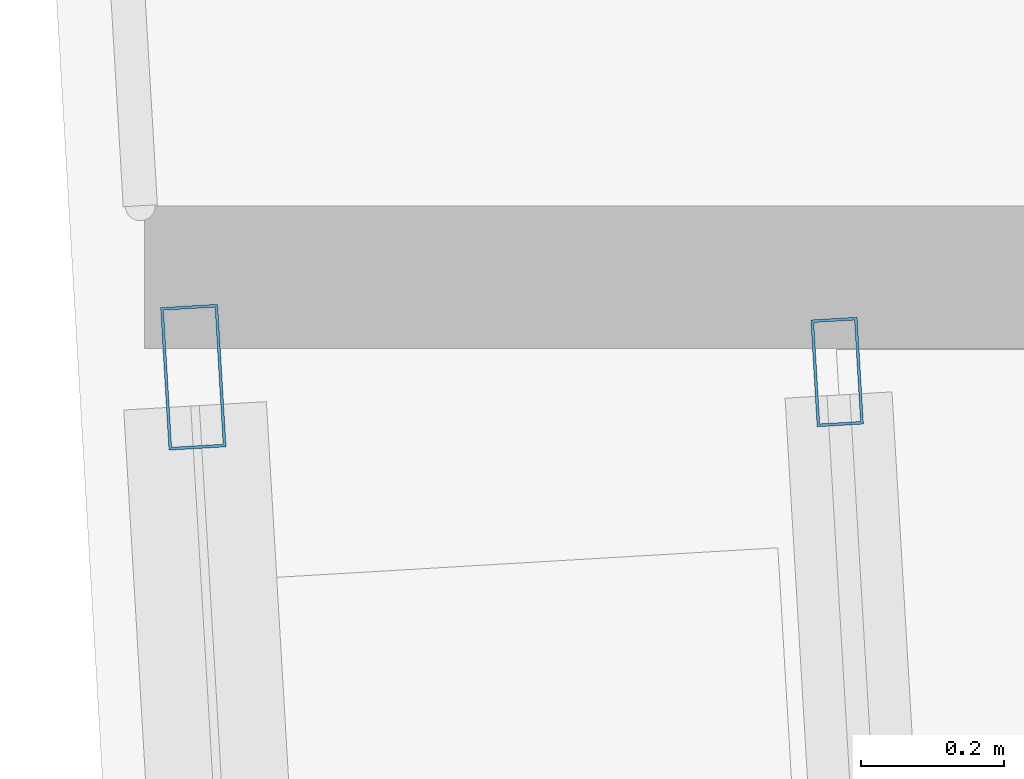
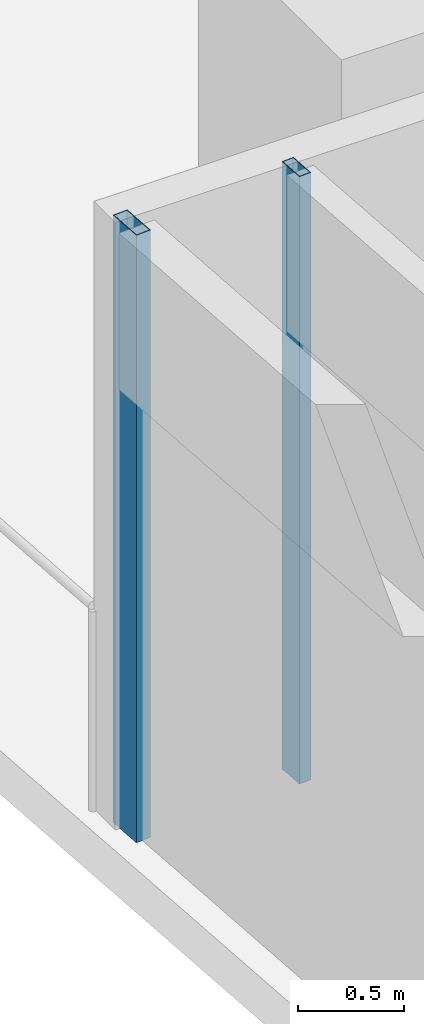
# One storey, part 5 of 39: 2 members, 2 elements without a shape of their own.
"""IFC4 building model written with IfcOpenShell, lengths in metres."""

import ifcopenshell
import ifcopenshell.guid

model = None  # the IFC model being written
_history = None  # IfcOwnerHistory: only IFC2X3 demands one
_inside = {}  # id of a spatial element -> (the spatial element, [elements in it])
_under = {}  # id of a project, library or spatial element -> (it, [spatial elements below it])
_declared = {}  # id of a project -> (the project, [libraries it declares])
_typed = {}  # id of a type object -> (the type object, [elements of that type])
_made_of = {}  # id of a material, layer set ... -> (it, [elements and type objects made of it])


def new_model(schema):
    """Start an empty IFC model of exactly this schema.

    Asked for "IFC4X3", IfcOpenShell would pick the latest addendum, in which some entities
    have other attributes; the version numbers below select the first issue.
    IFC2X3 requires an IfcOwnerHistory on every rooted entity: one is made here for all.
    """
    global model, _history
    if schema == "IFC4X3":
        model = ifcopenshell.file(schema_version=(4, 3, 0, 0))
    else:
        model = ifcopenshell.file(schema=schema)
    _inside.clear()
    _under.clear()
    _declared.clear()
    _typed.clear()
    _made_of.clear()
    _history = None
    if model.schema == "IFC2X3":
        org = make("IfcOrganization", Name="unknown")
        user = make(
            "IfcPersonAndOrganization",
            ThePerson=make("IfcPerson", FamilyName="unknown"),
            TheOrganization=org,
        )
        app = make(
            "IfcApplication",
            ApplicationDeveloper=org,
            Version="unknown",
            ApplicationFullName="unknown",
            ApplicationIdentifier="unknown",
        )
        _history = make(
            "IfcOwnerHistory",
            OwningUser=user,
            OwningApplication=app,
            ChangeAction="ADDED",
            CreationDate=0,
        )
    return model


def make(cls, **values):
    """One entity of the class cls with the attributes given. An attribute that is None is left unset."""
    return model.create_entity(
        cls, **{name: value for name, value in values.items() if value is not None}
    )


def rooted(cls, **values):
    """An entity with a GlobalId (a new one), such as an element, a storey or a relation."""
    return make(cls, GlobalId=ifcopenshell.guid.new(), OwnerHistory=_history, **values)


def si_unit(unit_type, name, prefix=None):
    """IfcSIUnit, for example si_unit("LENGTHUNIT", "METRE", prefix="MILLI")."""
    return make("IfcSIUnit", UnitType=unit_type, Prefix=prefix, Name=name)


def assignment(units):
    """IfcUnitAssignment: the units of a project."""
    return None if units is None else make("IfcUnitAssignment", Units=units)


def point(xyz):
    """IfcCartesianPoint."""
    return None if xyz is None else make("IfcCartesianPoint", Coordinates=xyz)


def direction(xyz):
    """IfcDirection."""
    return None if xyz is None else make("IfcDirection", DirectionRatios=xyz)


def frame(location, z_axis=None, x_axis=None):
    """IfcAxis2Placement3D, a coordinate frame: its origin and axes. An axis left out is left unset."""
    return make(
        "IfcAxis2Placement3D",
        Location=point(location),
        Axis=direction(z_axis),
        RefDirection=direction(x_axis),
    )


def frame_2d(location, x_axis=None):
    """IfcAxis2Placement2D, a coordinate frame in the plane: its origin and x axis."""
    return make(
        "IfcAxis2Placement2D", Location=point(location), RefDirection=direction(x_axis)
    )


def origin():
    """The frame at (0, 0, 0) with its axes left unset."""
    return frame((0.0, 0.0, 0.0))


def origin_2d():
    """The frame at (0, 0) in the plane with its x axis left unset."""
    return frame_2d((0.0, 0.0))


def place(relative_to, where):
    """IfcLocalPlacement: puts the frame where relative to a parent placement (None: the world)."""
    return make(
        "IfcLocalPlacement", PlacementRelTo=relative_to, RelativePlacement=where
    )


def context(
    kind, dimensions, precision=None, world=None, true_north=None, identifier=None
):
    """IfcGeometricRepresentationContext, for example the 3D "Model" context."""
    return make(
        "IfcGeometricRepresentationContext",
        ContextIdentifier=identifier,
        ContextType=kind,
        CoordinateSpaceDimension=dimensions,
        Precision=precision,
        WorldCoordinateSystem=world,
        TrueNorth=true_north,
    )


def subcontext(parent, identifier, kind, view, scale=None):
    """IfcGeometricRepresentationSubContext, for example "Body" below "Model"."""
    return make(
        "IfcGeometricRepresentationSubContext",
        ContextIdentifier=identifier,
        ContextType=kind,
        ParentContext=parent,
        TargetScale=scale,
        TargetView=view,
    )


def project(units=None, contexts=None):
    """IfcProject with its units and contexts."""
    return rooted(
        "IfcProject",
        Name="project",
        RepresentationContexts=contexts,
        UnitsInContext=assignment(units),
    )


def spatial(cls, under=None, at=None, **own):
    """A site, building, storey or space (cls), placed at a placement, below another one or the project."""
    s = rooted(cls, ObjectPlacement=at, **own)
    if under is not None:
        _under.setdefault(under.id(), (under, []))[1].append(s)
    return s


def profile(cls, at=None, kind="AREA", **sizes):
    """A parametric profile (cls). Its sizes go by their IFC names, for example OverallWidth=200.0."""
    return make(cls, ProfileType=kind, Position=at, **sizes)


def hollow_rectangle(**sizes):
    """IfcRectangleHollowProfileDef."""
    return profile("IfcRectangleHollowProfileDef", **sizes)


def extrude(swept, where, along, depth):
    """IfcExtrudedAreaSolid: the profile swept, set in the frame where, extruded along a direction by depth."""
    return make(
        "IfcExtrudedAreaSolid",
        SweptArea=swept,
        Position=where,
        ExtrudedDirection=direction(along),
        Depth=depth,
    )


def shape(context_of_items, identifier, shape_type, items):
    """IfcShapeRepresentation: the items that make up one representation, for example the "Body"."""
    return make(
        "IfcShapeRepresentation",
        ContextOfItems=context_of_items,
        RepresentationIdentifier=identifier,
        RepresentationType=shape_type,
        Items=items,
    )


def material(Name=None, Category=None):
    """IfcMaterial."""
    return make("IfcMaterial", Name=Name, Category=Category)


def material_profile(
    of_material, cross_section, Name=None, Category=None, Priority=None
):
    """IfcMaterialProfile: a cross section and its material."""
    return make(
        "IfcMaterialProfile",
        Name=Name,
        Material=of_material,
        Profile=cross_section,
        Priority=Priority,
        Category=Category,
    )


def profile_set(profiles, Name=None, composite=None):
    """IfcMaterialProfileSet."""
    return make(
        "IfcMaterialProfileSet",
        Name=Name,
        MaterialProfiles=profiles,
        CompositeProfile=composite,
    )


def made_of(thing, what):
    """Note that an element or type object is made of a material, layer set ...; save() writes the relation."""
    if what is not None:
        _made_of.setdefault(what.id(), (what, []))[1].append(thing)
    return thing


def type_object(cls, material=None, **own):
    """A type object (cls), such as IfcWallType, which elements share."""
    return made_of(rooted(cls, **own), material)


def element(
    cls,
    number,
    at=None,
    inside=None,
    cuts=None,
    type_object=None,
    material=None,
    context=None,
    identifier="Body",
    shape_type=None,
    held_by="IfcProductDefinitionShape",
    body=None,
    shapes=None,
    **own,
):
    """One element of the class cls, such as IfcWall. Its Tag is "e" and its number.

    at: its placement. inside: the storey or other place that contains it. cuts: it is an
    opening in that element (IfcRelVoidsElement). A single representation is given by context,
    identifier, shape_type and body (its items); several are given by shapes. held_by: the class
    of the entity that holds the representations. save() writes the other relations.
    """
    e = rooted(cls, Tag="e%d" % number, ObjectPlacement=at, **own)
    if body is not None:
        shapes = [shape(context, identifier, shape_type, body)]
    if shapes is not None:
        e.Representation = make(held_by, Representations=shapes)
    if inside is not None:
        _inside.setdefault(inside.id(), (inside, []))[1].append(e)
    if cuts is not None:
        rooted(
            "IfcRelVoidsElement", RelatingBuildingElement=cuts, RelatedOpeningElement=e
        )
    if type_object is not None:
        _typed.setdefault(type_object.id(), (type_object, []))[1].append(e)
    return made_of(e, material)


def aggregate(whole, parts):
    """IfcRelAggregates: a whole, such as a stair, and the parts it consists of."""
    return rooted("IfcRelAggregates", RelatingObject=whole, RelatedObjects=parts)


def save(model, path):
    """Write the relations noted so far, then the file.

    IfcRelAggregates (storeys below a building ...), IfcRelContainedInSpatialStructure (elements
    in a storey), IfcRelDefinesByType, IfcRelAssociatesMaterial and IfcRelDeclares: one each for
    every whole, place, type object, material and project.
    """
    for whole, parts in _under.values():
        aggregate(whole, parts)
    for where, things in _inside.values():
        rooted(
            "IfcRelContainedInSpatialStructure",
            RelatedElements=things,
            RelatingStructure=where,
        )
    for kind, things in _typed.values():
        rooted("IfcRelDefinesByType", RelatedObjects=things, RelatingType=kind)
    for what, things in _made_of.values():
        rooted("IfcRelAssociatesMaterial", RelatedObjects=things, RelatingMaterial=what)
    for by, libraries in _declared.values():
        rooted("IfcRelDeclares", RelatingContext=by, RelatedDefinitions=libraries)
    model.write(path)


model = new_model("IFC4")

# Units and contexts
model_context = context("Model", 3, precision=1e-05, world=origin(), true_north=direction((0.0, 1.0)))
body_context = subcontext(model_context, "Body", "Model", "MODEL_VIEW")
ifc_project = project(units=[si_unit("LENGTHUNIT", "METRE"), si_unit("AREAUNIT", "SQUARE_METRE"), si_unit("VOLUMEUNIT", "CUBIC_METRE"), si_unit("PLANEANGLEUNIT", "RADIAN"), si_unit("MASSUNIT", "GRAM", prefix="KILO")], contexts=[model_context])

# Site, building, storey
site_placement = place(None, origin())
site = spatial("IfcSite", under=ifc_project, at=site_placement, CompositionType="ELEMENT")
building_placement = place(site_placement, origin())
building = spatial("IfcBuilding", under=site, at=building_placement, Name="Rekha Terrace Tower", CompositionType="ELEMENT")
storey_placement = place(building_placement, frame((0.0, 0.0, 221.449951171875)))
storey = spatial("IfcBuildingStorey", under=building, at=storey_placement, Name="L56", CompositionType="ELEMENT", Elevation=221.449951171875)

# Curtain wall, member
ifc_material_1 = material(Name="Aluminium framing", Category="aluminium")
curtain_wall_type_1 = type_object("IfcCurtainWallType", Name="CW1 double skin inner glazing", PredefinedType="USERDEFINED", material=ifc_material_1)
curtain_wall_1_placement = place(storey_placement, origin())
curtain_wall_1 = element("IfcCurtainWall", 1, at=curtain_wall_1_placement, inside=storey, type_object=curtain_wall_type_1, Name="CW1 double skin inner glazing", ObjectType="DOUBLE SKIN INNER GLAZING", PredefinedType="USERDEFINED")
ifc_material_2 = material(Name="Aluminium mullion section", Category="aluminium")
ifc_material_profile_1 = material_profile(ifc_material_2, hollow_rectangle(XDim=0.06494140625, YDim=0.14990234375, WallThickness=0.00390625, at=origin_2d()), Name="AL RHS 65x150")
ifc_profile_set_1 = profile_set([ifc_material_profile_1], Name="Aluminium mullion section")
member_type_1 = type_object("IfcMemberType", Name="CW1 mullion RHS 65 x 150", PredefinedType="MULLION", material=ifc_profile_set_1)
member_1_placement = place(storey_placement, frame((7.2802734375, 24.179443359375, 0.0), z_axis=(0.0, 0.0, 1.0), x_axis=(0.998271839274, 0.058765082429, 0.0)))
member_1 = element("IfcMember", 2, at=member_1_placement, type_object=member_type_1, Name="CW1 mullion 1", PredefinedType="MULLION", context=body_context, shape_type="SweptSolid", body=[
    extrude(hollow_rectangle(XDim=0.06494140625, YDim=0.14990234375, WallThickness=0.00390625, at=origin_2d()), origin(), (0.0, 0.0, 1.0), 3.5),
])
aggregate(curtain_wall_1, [member_1])

curtain_wall_type_2 = type_object("IfcCurtainWallType", Name="CW2 double skin outer glazing", PredefinedType="USERDEFINED", material=ifc_material_1)
curtain_wall_2_placement = place(storey_placement, origin())
curtain_wall_2 = element("IfcCurtainWall", 3, at=curtain_wall_2_placement, inside=storey, type_object=curtain_wall_type_2, Name="CW2 double skin outer glazing", ObjectType="DOUBLE SKIN OUTER GLAZING", PredefinedType="USERDEFINED")
ifc_material_profile_2 = material_profile(ifc_material_2, hollow_rectangle(XDim=0.080078125, YDim=0.199951171875, WallThickness=0.00390625, at=origin_2d()), Name="AL RHS 80x200")
ifc_profile_set_2 = profile_set([ifc_material_profile_2], Name="Aluminium mullion section")
member_type_2 = type_object("IfcMemberType", Name="CW2 mullion RHS 80 x 200", PredefinedType="MULLION", material=ifc_profile_set_2)
member_2_placement = place(storey_placement, frame((6.379150390625, 24.172119140625, 0.0), z_axis=(0.0, 0.0, 1.0), x_axis=(0.998271839268, 0.058765082534, 0.0)))
member_2 = element("IfcMember", 4, at=member_2_placement, type_object=member_type_2, Name="CW2 mullion 1", PredefinedType="MULLION", context=body_context, shape_type="SweptSolid", body=[
    extrude(hollow_rectangle(XDim=0.080078125, YDim=0.199951171875, WallThickness=0.00390625, at=origin_2d()), origin(), (0.0, 0.0, 1.0), 3.5),
])
aggregate(curtain_wall_2, [member_2])

save(model, "model.ifc")
